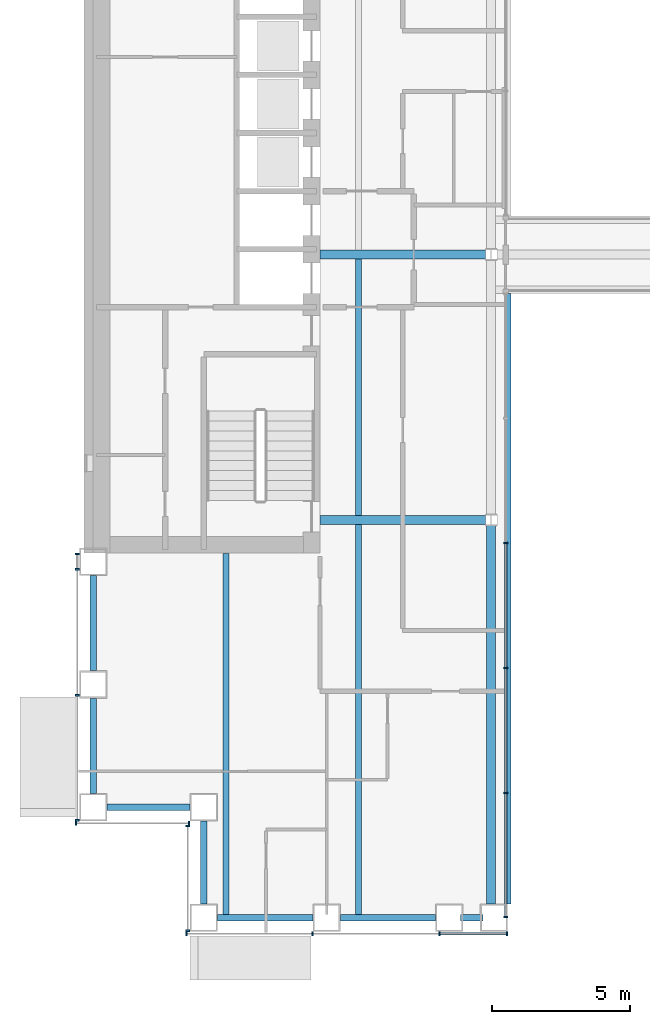
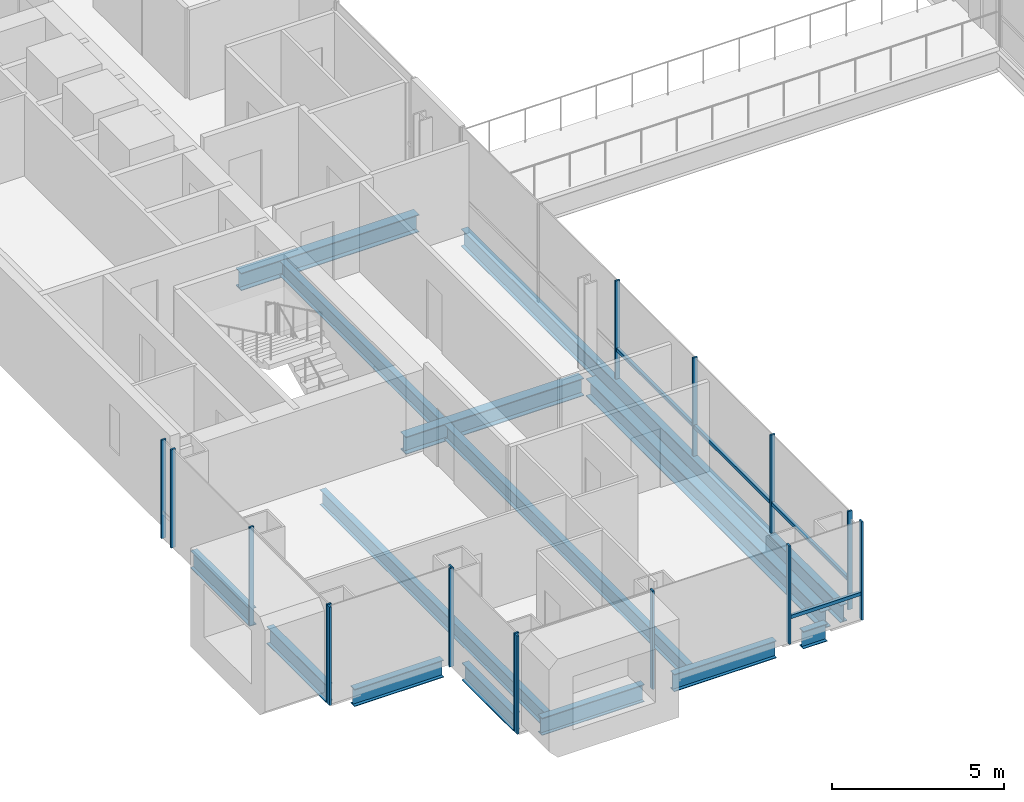
# One storey, part 2 of 21: 20 members, 14 beams, 5 elements without a shape of their own.
"""IFC4 building model written with IfcOpenShell, lengths in metres."""

from ifc_helpers import new_model, si_unit, direction, frame, origin, origin_2d, place, context, subcontext, project, spatial, rectangle, i_section, extrude, material, material_profile, profile_set, type_object, element, aggregate, save


model = new_model("IFC4")

# Units and contexts
model_context = context("Model", 3, precision=1e-05, world=origin(), true_north=direction((0.0, 1.0)))
body_context = subcontext(model_context, "Body", "Model", "MODEL_VIEW")
ifc_project = project(units=[si_unit("LENGTHUNIT", "METRE"), si_unit("AREAUNIT", "SQUARE_METRE"), si_unit("VOLUMEUNIT", "CUBIC_METRE"), si_unit("PLANEANGLEUNIT", "RADIAN"), si_unit("MASSUNIT", "GRAM", prefix="KILO")], contexts=[model_context])

# Site, building, storey
site_placement = place(None, origin())
site = spatial("IfcSite", under=ifc_project, at=site_placement, CompositionType="ELEMENT")
building_placement = place(site_placement, origin())
building = spatial("IfcBuilding", under=site, at=building_placement, Name="Cobrizo Arcos Hotel Tower", CompositionType="ELEMENT")
storey_placement = place(building_placement, frame((0.0, 0.0, 81.0)))
storey = spatial("IfcBuildingStorey", under=building, at=storey_placement, Name="L19", CompositionType="ELEMENT", Elevation=81.0)

# Curtain wall, members
ifc_material_1 = material(Name="Aluminium 6063-T6 anodised bronze", Category="aluminium")
curtain_wall_type_1 = type_object("IfcCurtainWallType", Name="CW-A guest facade", PredefinedType="NOTDEFINED", material=ifc_material_1)
curtain_wall_1_placement = place(storey_placement, origin())
curtain_wall_1 = element("IfcCurtainWall", 1, at=curtain_wall_1_placement, inside=storey, type_object=curtain_wall_type_1, Name="CW-A L19 S face", PredefinedType="NOTDEFINED")
ifc_material_profile_1 = material_profile(ifc_material_1, rectangle(XDim=0.14990234375, YDim=0.06005859375, at=origin_2d()), Name="CW-A mullion 150x60")
ifc_profile_set_1 = profile_set([ifc_material_profile_1], Name="Aluminium 6063-T6 anodised bronze")
member_type_1 = type_object("IfcMemberType", Name="CW-A mullion 150x60", PredefinedType="MULLION", material=ifc_profile_set_1)
member_1_placement = place(storey_placement, frame((-20.6201171875, -24.574951171875, 0.0), z_axis=(0.0, 0.0, 1.0), x_axis=(0.0, -1.0, 0.0)))
member_1 = element("IfcMember", 2, at=member_1_placement, type_object=member_type_1, Name="CW-A mullion 1", PredefinedType="MULLION", context=body_context, shape_type="SweptSolid", body=[
    extrude(rectangle(XDim=0.14990234375, YDim=0.06005859375, at=origin_2d()), origin(), (0.0, 0.0, 1.0), 3.5),
])
member_2_placement = place(storey_placement, frame((-16.06103515625, -24.574951171875, 0.0), z_axis=(0.0, 0.0, 1.0), x_axis=(0.0, -1.0, 0.0)))
member_2 = element("IfcMember", 3, at=member_2_placement, type_object=member_type_1, Name="CW-A mullion 2", PredefinedType="MULLION", context=body_context, shape_type="SweptSolid", body=[
    extrude(rectangle(XDim=0.14990234375, YDim=0.06005859375, at=origin_2d()), origin(), (0.0, 0.0, 1.0), 3.5),
])
member_3_placement = place(storey_placement, frame((-11.47216796875, -24.574951171875, 0.0), z_axis=(0.0, 0.0, 1.0), x_axis=(0.0, -1.0, 0.0)))
member_3 = element("IfcMember", 4, at=member_3_placement, type_object=member_type_1, Name="CW-A mullion 3", PredefinedType="MULLION", context=body_context, shape_type="SweptSolid", body=[
    extrude(rectangle(XDim=0.14990234375, YDim=0.06005859375, at=origin_2d()), origin(), (0.0, 0.0, 1.0), 3.5),
])
member_4_placement = place(storey_placement, frame((-9.030029296875, -24.574951171875, 0.0), z_axis=(0.0, 0.0, 1.0), x_axis=(0.0, -1.0, 0.0)))
member_4 = element("IfcMember", 5, at=member_4_placement, type_object=member_type_1, Name="CW-A mullion 4", PredefinedType="MULLION", context=body_context, shape_type="SweptSolid", body=[
    extrude(rectangle(XDim=0.14990234375, YDim=0.06005859375, at=origin_2d()), origin(), (0.0, 0.0, 1.0), 3.5),
])

curtain_wall_2_placement = place(storey_placement, origin())
curtain_wall_2 = element("IfcCurtainWall", 6, at=curtain_wall_2_placement, inside=storey, type_object=curtain_wall_type_1, Name="CW-A L19 W face", PredefinedType="NOTDEFINED")
member_5_placement = place(storey_placement, frame((-24.574951171875, -10.830078125, 0.0), z_axis=(0.0, 0.0, 1.0), x_axis=(-1.0, 0.0, 0.0)))
member_5 = element("IfcMember", 7, at=member_5_placement, type_object=member_type_1, Name="CW-A mullion 1", PredefinedType="MULLION", context=body_context, shape_type="SweptSolid", body=[
    extrude(rectangle(XDim=0.14990234375, YDim=0.06005859375, at=origin_2d()), origin(), (0.0, 0.0, 1.0), 3.5),
])
member_6_placement = place(storey_placement, frame((-24.574951171875, -11.388916015625, 0.0), z_axis=(0.0, 0.0, 1.0), x_axis=(-1.0, 0.0, 0.0)))
member_6 = element("IfcMember", 8, at=member_6_placement, type_object=member_type_1, Name="CW-A mullion 2", PredefinedType="MULLION", context=body_context, shape_type="SweptSolid", body=[
    extrude(rectangle(XDim=0.14990234375, YDim=0.06005859375, at=origin_2d()), origin(), (0.0, 0.0, 1.0), 3.5),
])
member_7_placement = place(storey_placement, frame((-24.574951171875, -15.9443359375, 0.0), z_axis=(0.0, 0.0, 1.0), x_axis=(-1.0, 0.0, 0.0)))
member_7 = element("IfcMember", 9, at=member_7_placement, type_object=member_type_1, Name="CW-A mullion 3", PredefinedType="MULLION", context=body_context, shape_type="SweptSolid", body=[
    extrude(rectangle(XDim=0.14990234375, YDim=0.06005859375, at=origin_2d()), origin(), (0.0, 0.0, 1.0), 3.5),
])
member_8_placement = place(storey_placement, frame((-24.574951171875, -20.469970703125, 0.0), z_axis=(0.0, 0.0, 1.0), x_axis=(-1.0, 0.0, 0.0)))
member_8 = element("IfcMember", 10, at=member_8_placement, type_object=member_type_1, Name="CW-A mullion 4", PredefinedType="MULLION", context=body_context, shape_type="SweptSolid", body=[
    extrude(rectangle(XDim=0.14990234375, YDim=0.06005859375, at=origin_2d()), origin(), (0.0, 0.0, 1.0), 3.5),
])
aggregate(curtain_wall_2, [member_5, member_6, member_7, member_8])

curtain_wall_3_placement = place(storey_placement, origin())
curtain_wall_3 = element("IfcCurtainWall", 11, at=curtain_wall_3_placement, inside=storey, type_object=curtain_wall_type_1, Name="CW-A L19 S face", PredefinedType="NOTDEFINED")
member_9_placement = place(storey_placement, frame((-24.6201171875, -20.574951171875, 0.0), z_axis=(0.0, 0.0, 1.0), x_axis=(0.0, -1.0, 0.0)))
member_9 = element("IfcMember", 12, at=member_9_placement, type_object=member_type_1, Name="CW-A mullion 1", PredefinedType="MULLION", context=body_context, shape_type="SweptSolid", body=[
    extrude(rectangle(XDim=0.14990234375, YDim=0.06005859375, at=origin_2d()), origin(), (0.0, 0.0, 1.0), 3.5),
])
member_10_placement = place(storey_placement, frame((-20.530029296875, -20.574951171875, 0.0), z_axis=(0.0, 0.0, 1.0), x_axis=(0.0, -1.0, 0.0)))
member_10 = element("IfcMember", 13, at=member_10_placement, type_object=member_type_1, Name="CW-A mullion 2", PredefinedType="MULLION", context=body_context, shape_type="SweptSolid", body=[
    extrude(rectangle(XDim=0.14990234375, YDim=0.06005859375, at=origin_2d()), origin(), (0.0, 0.0, 1.0), 3.5),
])
aggregate(curtain_wall_3, [member_9, member_10])

curtain_wall_4_placement = place(storey_placement, origin())
curtain_wall_4 = element("IfcCurtainWall", 14, at=curtain_wall_4_placement, inside=storey, type_object=curtain_wall_type_1, Name="CW-A L19 W face", PredefinedType="NOTDEFINED")
member_11_placement = place(storey_placement, frame((-20.574951171875, -20.679931640625, 0.0), z_axis=(0.0, 0.0, 1.0), x_axis=(-1.0, 0.0, 0.0)))
member_11 = element("IfcMember", 15, at=member_11_placement, type_object=member_type_1, Name="CW-A mullion 1", PredefinedType="MULLION", context=body_context, shape_type="SweptSolid", body=[
    extrude(rectangle(XDim=0.14990234375, YDim=0.06005859375, at=origin_2d()), origin(), (0.0, 0.0, 1.0), 3.5),
])
member_12_placement = place(storey_placement, frame((-20.574951171875, -24.469970703125, 0.0), z_axis=(0.0, 0.0, 1.0), x_axis=(-1.0, 0.0, 0.0)))
member_12 = element("IfcMember", 16, at=member_12_placement, type_object=member_type_1, Name="CW-A mullion 2", PredefinedType="MULLION", context=body_context, shape_type="SweptSolid", body=[
    extrude(rectangle(XDim=0.14990234375, YDim=0.06005859375, at=origin_2d()), origin(), (0.0, 0.0, 1.0), 3.5),
])
aggregate(curtain_wall_4, [member_11, member_12])

# Member
ifc_material_profile_2 = material_profile(ifc_material_1, rectangle(XDim=0.10009765625, YDim=0.1201171875, at=origin_2d()), Name="CW-A transom 120x100")
ifc_profile_set_2 = profile_set([ifc_material_profile_2], Name="Aluminium 6063-T6 anodised bronze")
member_type_2 = type_object("IfcMemberType", Name="CW-A transom 120x100", PredefinedType="USERDEFINED", material=ifc_profile_set_2)
member_13_placement = place(storey_placement, frame((-11.442138671875, -24.574951171875, 0.929931640625), z_axis=(1.0, 0.0, 0.0), x_axis=(0.0, 1.0, 0.0)))
member_13 = element("IfcMember", 17, at=member_13_placement, type_object=member_type_2, Name="CW-A transom 783", ObjectType="TRANSOM", PredefinedType="USERDEFINED", context=body_context, shape_type="SweptSolid", body=[
    extrude(rectangle(XDim=0.10009765625, YDim=0.1201171875, at=origin_2d()), origin(), (0.0, 0.0, 1.0), 2.382080078125),
])

aggregate(curtain_wall_1, [member_1, member_2, member_3, member_4, member_13])

# Curtain wall, members
curtain_wall_type_2 = type_object("IfcCurtainWallType", Name="CW-F void screen", PredefinedType="NOTDEFINED", material=ifc_material_1)
curtain_wall_5_placement = place(storey_placement, origin())
curtain_wall_5 = element("IfcCurtainWall", 18, at=curtain_wall_5_placement, inside=storey, type_object=curtain_wall_type_2, Name="CW-F L19 void screen A", PredefinedType="NOTDEFINED")
ifc_material_profile_3 = material_profile(ifc_material_1, rectangle(XDim=0.14990234375, YDim=0.06005859375, at=origin_2d()), Name="CW-F mullion 150x60")
ifc_profile_set_3 = profile_set([ifc_material_profile_3], Name="Aluminium 6063-T6 anodised bronze")
member_type_3 = type_object("IfcMemberType", Name="CW-F mullion 150x60", PredefinedType="MULLION", material=ifc_profile_set_3)
member_14_placement = place(storey_placement, frame((-9.074951171875, -10.43994140625, 0.0), z_axis=(0.0, 0.0, 1.0), x_axis=(-1.0, 0.0, 0.0)))
member_14 = element("IfcMember", 19, at=member_14_placement, type_object=member_type_3, Name="CW-F mullion 3", PredefinedType="MULLION", context=body_context, shape_type="SweptSolid", body=[
    extrude(rectangle(XDim=0.14990234375, YDim=0.06005859375, at=origin_2d()), origin(), (0.0, 0.0, 1.0), 3.5),
])
member_15_placement = place(storey_placement, frame((-9.074951171875, -14.9599609375, 0.0), z_axis=(0.0, 0.0, 1.0), x_axis=(-1.0, 0.0, 0.0)))
member_15 = element("IfcMember", 20, at=member_15_placement, type_object=member_type_3, Name="CW-F mullion 4", PredefinedType="MULLION", context=body_context, shape_type="SweptSolid", body=[
    extrude(rectangle(XDim=0.14990234375, YDim=0.06005859375, at=origin_2d()), origin(), (0.0, 0.0, 1.0), 3.5),
])
member_16_placement = place(storey_placement, frame((-9.074951171875, -19.47998046875, 0.0), z_axis=(0.0, 0.0, 1.0), x_axis=(-1.0, 0.0, 0.0)))
member_16 = element("IfcMember", 21, at=member_16_placement, type_object=member_type_3, Name="CW-F mullion 5", PredefinedType="MULLION", context=body_context, shape_type="SweptSolid", body=[
    extrude(rectangle(XDim=0.14990234375, YDim=0.06005859375, at=origin_2d()), origin(), (0.0, 0.0, 1.0), 3.5),
])
member_17_placement = place(storey_placement, frame((-9.074951171875, -23.969970703125, 0.0), z_axis=(0.0, 0.0, 1.0), x_axis=(-1.0, 0.0, 0.0)))
member_17 = element("IfcMember", 22, at=member_17_placement, type_object=member_type_3, Name="CW-F mullion 6", PredefinedType="MULLION", context=body_context, shape_type="SweptSolid", body=[
    extrude(rectangle(XDim=0.14990234375, YDim=0.06005859375, at=origin_2d()), origin(), (0.0, 0.0, 1.0), 3.5),
])
ifc_material_profile_4 = material_profile(ifc_material_1, rectangle(XDim=0.10009765625, YDim=0.1201171875, at=origin_2d()), Name="CW-F transom 120x100")
ifc_profile_set_4 = profile_set([ifc_material_profile_4], Name="Aluminium 6063-T6 anodised bronze")
member_type_4 = type_object("IfcMemberType", Name="CW-F transom 120x100", PredefinedType="USERDEFINED", material=ifc_profile_set_4)
member_18_placement = place(storey_placement, frame((-9.074951171875, -10.469970703125, 1.050048828125), z_axis=(0.0, -1.0, 0.0), x_axis=(1.0, 0.0, 0.0)))
member_18 = element("IfcMember", 23, at=member_18_placement, type_object=member_type_4, Name="CW-F transom 2565", ObjectType="TRANSOM", PredefinedType="USERDEFINED", context=body_context, shape_type="SweptSolid", body=[
    extrude(rectangle(XDim=0.10009765625, YDim=0.1201171875, at=origin_2d()), origin(), (0.0, 0.0, 1.0), 4.4599609375),
])
member_19_placement = place(storey_placement, frame((-9.074951171875, -14.989990234375, 1.050048828125), z_axis=(0.0, -1.0, 0.0), x_axis=(1.0, 0.0, 0.0)))
member_19 = element("IfcMember", 24, at=member_19_placement, type_object=member_type_4, Name="CW-F transom 2566", ObjectType="TRANSOM", PredefinedType="USERDEFINED", context=body_context, shape_type="SweptSolid", body=[
    extrude(rectangle(XDim=0.10009765625, YDim=0.1201171875, at=origin_2d()), origin(), (0.0, 0.0, 1.0), 4.4599609375),
])
member_20_placement = place(storey_placement, frame((-9.074951171875, -19.510009765625, 1.050048828125), z_axis=(0.0, -1.0, 0.0), x_axis=(1.0, 0.0, 0.0)))
member_20 = element("IfcMember", 25, at=member_20_placement, type_object=member_type_4, Name="CW-F transom 2567", ObjectType="TRANSOM", PredefinedType="USERDEFINED", context=body_context, shape_type="SweptSolid", body=[
    extrude(rectangle(XDim=0.10009765625, YDim=0.1201171875, at=origin_2d()), origin(), (0.0, 0.0, 1.0), 4.429931640625),
])
aggregate(curtain_wall_5, [member_14, member_15, member_16, member_17, member_18, member_19, member_20])

# Beams
ifc_material_2 = material(Name="Steel ASTM A992 Grade 50", Category="steel")
ifc_material_profile_5 = material_profile(ifc_material_2, i_section(OverallWidth=0.209228515625, OverallDepth=0.533447265625, WebThickness=0.01025390625, FlangeThickness=0.015625, at=origin_2d()), Name="W21X62")
ifc_profile_set_5 = profile_set([ifc_material_profile_5], Name="Steel ASTM A992 Grade 50")
beam_type_1 = type_object("IfcBeamType", Name="W21X62 joist", PredefinedType="JOIST", material=ifc_profile_set_5)
beam_1_placement = place(storey_placement, frame((-19.199951171875, -23.909912109375, -0.416748046875), z_axis=(0.0, 1.0, 0.0), x_axis=(-1.0, 0.0, 0.0)))
element("IfcBeam", 26, at=beam_1_placement, inside=storey, type_object=beam_type_1, Name="Floor joist J1, L19, no. 001", PredefinedType="JOIST", context=body_context, shape_type="SweptSolid", body=[
    extrude(i_section(OverallWidth=0.209228515625, OverallDepth=0.533447265625, WebThickness=0.01025390625, FlangeThickness=0.015625, at=origin_2d()), origin(), (0.0, 0.0, 1.0), 13.099853515625),
])
beam_2_placement = place(storey_placement, frame((-14.39990234375, -23.909912109375, -0.416748046875), z_axis=(0.0, 1.0, 0.0), x_axis=(-1.0, 0.0, 0.0)))
element("IfcBeam", 27, at=beam_2_placement, inside=storey, type_object=beam_type_1, Name="Floor joist J1, L19, no. 003", PredefinedType="JOIST", context=body_context, shape_type="SweptSolid", body=[
    extrude(i_section(OverallWidth=0.209228515625, OverallDepth=0.533447265625, WebThickness=0.01025390625, FlangeThickness=0.015625, at=origin_2d()), origin(), (0.0, 0.0, 1.0), 14.14599609375),
])
beam_3_placement = place(storey_placement, frame((-14.39990234375, -9.43603515625, -0.416748046875), z_axis=(0.0, 1.0, 0.0), x_axis=(-1.0, 0.0, 0.0)))
element("IfcBeam", 28, at=beam_3_placement, inside=storey, type_object=beam_type_1, Name="Floor joist J1, L19, no. 004", PredefinedType="JOIST", context=body_context, shape_type="SweptSolid", body=[
    extrude(i_section(OverallWidth=0.209228515625, OverallDepth=0.533447265625, WebThickness=0.01025390625, FlangeThickness=0.015625, at=origin_2d()), origin(), (0.0, 0.0, 1.0), 9.272216796875),
])
ifc_material_profile_6 = material_profile(ifc_material_2, i_section(OverallWidth=0.32763671875, OverallDepth=0.622314453125, WebThickness=0.015380859375, FlangeThickness=0.0244140625, at=origin_2d()), Name="W24X131")
ifc_profile_set_6 = profile_set([ifc_material_profile_6], Name="Steel ASTM A992 Grade 50")
beam_type_2 = type_object("IfcBeamType", Name="W24X131 girder", PredefinedType="BEAM", material=ifc_profile_set_6)
for number, where, z_axis, x_axis, name in (
    (29, (-15.7900390625, -9.60009765625, -0.461181640625), (1.0, 0.0, 0.0), (0.0, 1.0, 0.0), "Floor girder G1, L19, no. 001"),
    (30, (-15.7900390625, 0.0, -0.461181640625), (1.0, 0.0, 0.0), (0.0, 1.0, 0.0), "Floor girder G1, L19, no. 003"),
):
    element("IfcBeam", number, at=place(storey_placement, frame(where, z_axis=z_axis, x_axis=x_axis)), inside=storey, type_object=beam_type_2, Name=name, PredefinedType="BEAM", context=body_context, shape_type="SweptSolid", body=[
        extrude(i_section(OverallWidth=0.32763671875, OverallDepth=0.622314453125, WebThickness=0.015380859375, FlangeThickness=0.0244140625, at=origin_2d()), origin(), (0.0, 0.0, 1.0), 5.985595703125),
    ])
beam_4_placement = place(storey_placement, frame((-9.60009765625, -23.5, -0.461181640625), z_axis=(0.0, 1.0, 0.0), x_axis=(-1.0, 0.0, 0.0)))
element("IfcBeam", 31, at=beam_4_placement, inside=storey, type_object=beam_type_2, Name="Floor girder G1, L19, no. 008", PredefinedType="BEAM", context=body_context, shape_type="SweptSolid", body=[
    extrude(i_section(OverallWidth=0.32763671875, OverallDepth=0.622314453125, WebThickness=0.015380859375, FlangeThickness=0.0244140625, at=origin_2d()), origin(), (0.0, 0.0, 1.0), 13.695556640625),
])
ifc_material_profile_7 = material_profile(ifc_material_2, i_section(OverallWidth=0.23046875, OverallDepth=0.6171875, WebThickness=0.01318359375, FlangeThickness=0.022216796875, at=origin_2d()), Name="W24X94")
ifc_profile_set_7 = profile_set([ifc_material_profile_7], Name="Steel ASTM A992 Grade 50")
beam_type_3 = type_object("IfcBeamType", Name="W24X94 spandrel", PredefinedType="SPANDREL", material=ifc_profile_set_7)
beam_5_placement = place(storey_placement, frame((-9.0, -1.39990234375, -0.45849609375), z_axis=(0.0, -1.0, 0.0), x_axis=(1.0, 0.0, 0.0)))
element("IfcBeam", 32, at=beam_5_placement, inside=storey, type_object=beam_type_3, Name="Spandrel beam W24X94, L19, no. 012", PredefinedType="SPANDREL", context=body_context, shape_type="SweptSolid", body=[
    extrude(i_section(OverallWidth=0.23046875, OverallDepth=0.6171875, WebThickness=0.01318359375, FlangeThickness=0.022216796875, at=origin_2d()), origin(), (0.0, 0.0, 1.0), 22.10009765625),
])
beam_6_placement = place(storey_placement, frame((-9.89990234375, -24.0, -0.45849609375), z_axis=(-1.0, 0.0, 0.0), x_axis=(0.0, -1.0, 0.0)))
element("IfcBeam", 33, at=beam_6_placement, inside=storey, type_object=beam_type_3, Name="Spandrel beam W24X94, L19, no. 013", PredefinedType="SPANDREL", context=body_context, shape_type="SweptSolid", body=[
    extrude(i_section(OverallWidth=0.23046875, OverallDepth=0.6171875, WebThickness=0.01318359375, FlangeThickness=0.022216796875, at=origin_2d()), origin(), (0.0, 0.0, 1.0), 0.81103515625),
])
beam_7_placement = place(storey_placement, frame((-11.611083984375, -24.0, -0.45849609375), z_axis=(-1.0, 0.0, 0.0), x_axis=(0.0, -1.0, 0.0)))
element("IfcBeam", 34, at=beam_7_placement, inside=storey, type_object=beam_type_3, Name="Spandrel beam W24X94, L19, no. 014", PredefinedType="SPANDREL", context=body_context, shape_type="SweptSolid", body=[
    extrude(i_section(OverallWidth=0.23046875, OverallDepth=0.6171875, WebThickness=0.01318359375, FlangeThickness=0.022216796875, at=origin_2d()), origin(), (0.0, 0.0, 1.0), 3.44482421875),
])
beam_8_placement = place(storey_placement, frame((-16.055908203125, -24.0, -0.45849609375), z_axis=(-1.0, 0.0, 0.0), x_axis=(0.0, -1.0, 0.0)))
element("IfcBeam", 35, at=beam_8_placement, inside=storey, type_object=beam_type_3, Name="Spandrel beam W24X94, L19, no. 015", PredefinedType="SPANDREL", context=body_context, shape_type="SweptSolid", body=[
    extrude(i_section(OverallWidth=0.23046875, OverallDepth=0.6171875, WebThickness=0.01318359375, FlangeThickness=0.022216796875, at=origin_2d()), origin(), (0.0, 0.0, 1.0), 3.444091796875),
])
for number, where, z_axis, x_axis, name in (
    (36, (-20.0, -23.5, -0.45849609375), (0.0, 1.0, 0.0), (-1.0, 0.0, 0.0), "Spandrel beam W24X94, L19, no. 016"),
    (37, (-20.5, -20.0, -0.45849609375), (-1.0, 0.0, 0.0), (0.0, -1.0, 0.0), "Spandrel beam W24X94, L19, no. 017"),
):
    element("IfcBeam", number, at=place(storey_placement, frame(where, z_axis=z_axis, x_axis=x_axis)), inside=storey, type_object=beam_type_3, Name=name, PredefinedType="SPANDREL", context=body_context, shape_type="SweptSolid", body=[
        extrude(i_section(OverallWidth=0.23046875, OverallDepth=0.6171875, WebThickness=0.01318359375, FlangeThickness=0.022216796875, at=origin_2d()), origin(), (0.0, 0.0, 1.0), 3.0),
    ])
beam_9_placement = place(storey_placement, frame((-24.0, -19.5, -0.45849609375), z_axis=(0.0, 1.0, 0.0), x_axis=(-1.0, 0.0, 0.0)))
element("IfcBeam", 38, at=beam_9_placement, inside=storey, type_object=beam_type_3, Name="Spandrel beam W24X94, L19, no. 018", PredefinedType="SPANDREL", context=body_context, shape_type="SweptSolid", body=[
    extrude(i_section(OverallWidth=0.23046875, OverallDepth=0.6171875, WebThickness=0.01318359375, FlangeThickness=0.022216796875, at=origin_2d()), origin(), (0.0, 0.0, 1.0), 3.444091796875),
])
beam_10_placement = place(storey_placement, frame((-24.0, -15.055908203125, -0.45849609375), z_axis=(0.0, 1.0, 0.0), x_axis=(-1.0, 0.0, 0.0)))
element("IfcBeam", 39, at=beam_10_placement, inside=storey, type_object=beam_type_3, Name="Spandrel beam W24X94, L19, no. 019", PredefinedType="SPANDREL", context=body_context, shape_type="SweptSolid", body=[
    extrude(i_section(OverallWidth=0.23046875, OverallDepth=0.6171875, WebThickness=0.01318359375, FlangeThickness=0.022216796875, at=origin_2d()), origin(), (0.0, 0.0, 1.0), 3.44482421875),
])

save(model, "model.ifc")
